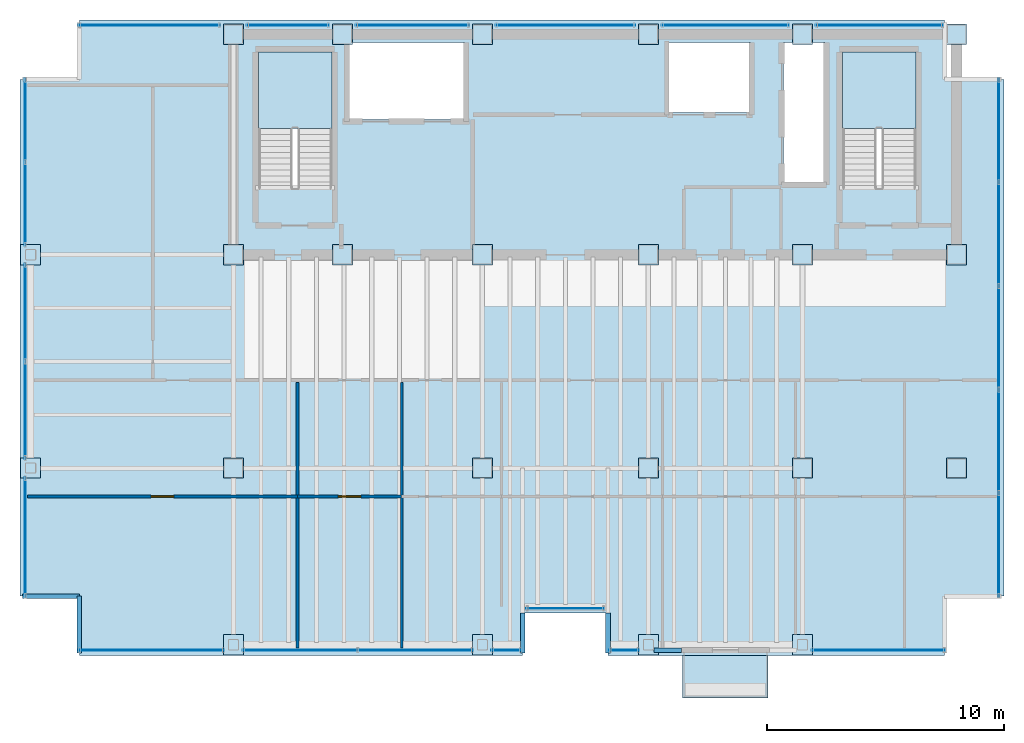
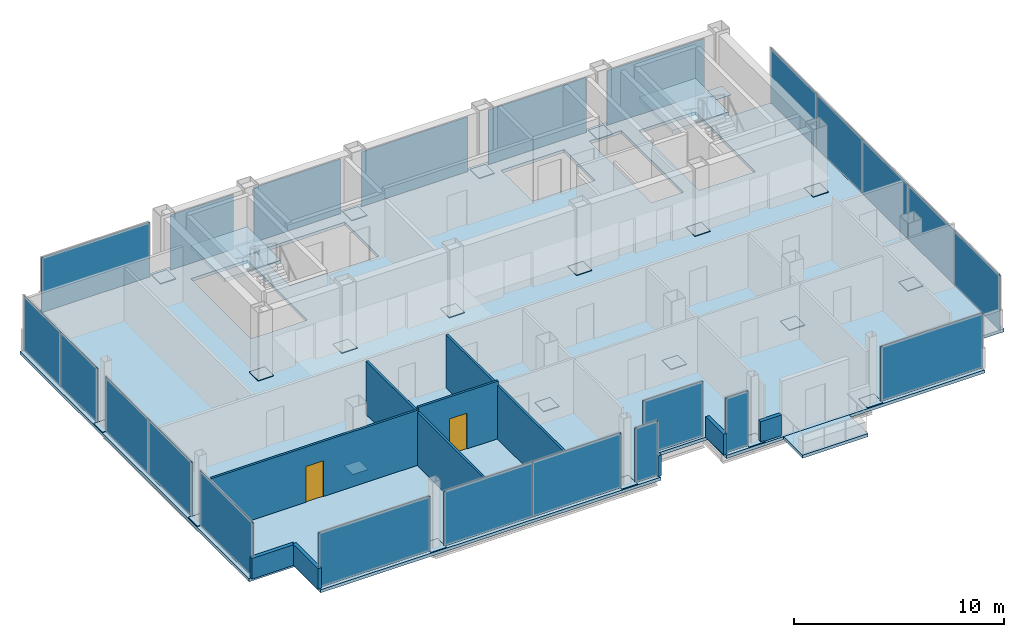
# One storey, part 13 of 17: 46 plates, 9 walls, 4 slabs, 2 doors, 7 openings, 18 elements without a shape of their own.
"""IFC4 building model written with IfcOpenShell, lengths in metres."""

from ifc_helpers import new_model, si_unit, direction, frame, frame_2d, origin, origin_2d, place, context, subcontext, project, spatial, polyline, rectangle, outline, extrude, material, layer, layer_set, type_object, element, fill, aggregate, save


model = new_model("IFC4")

# Units and contexts
model_context = context("Model", 3, precision=1e-05, world=origin(), true_north=direction((0.0, 1.0)))
body_context = subcontext(model_context, "Body", "Model", "MODEL_VIEW")
ifc_project = project(units=[si_unit("LENGTHUNIT", "METRE"), si_unit("AREAUNIT", "SQUARE_METRE"), si_unit("VOLUMEUNIT", "CUBIC_METRE"), si_unit("PLANEANGLEUNIT", "RADIAN"), si_unit("MASSUNIT", "GRAM", prefix="KILO")], contexts=[model_context])

# Site, building, storey
site_placement = place(None, origin())
site = spatial("IfcSite", under=ifc_project, at=site_placement, CompositionType="ELEMENT")
building_placement = place(site_placement, origin())
building = spatial("IfcBuilding", under=site, at=building_placement, Name="Noeulbin Bourse Tower", CompositionType="ELEMENT")
storey_placement = place(building_placement, frame((0.0, 0.0, 242.300048828125)))
storey = spatial("IfcBuildingStorey", under=building, at=storey_placement, Name="L60", CompositionType="ELEMENT", Elevation=242.300048828125)

# Curtain wall, plate
ifc_material_1 = material(Name="High-Selectivity Low-Iron Glazing", Category="glass")
curtain_wall_type = type_object("IfcCurtainWallType", Name="CW-SYS-4", PredefinedType="NOTDEFINED", material=ifc_material_1)
curtain_wall_1_placement = place(storey_placement, origin())
curtain_wall_1 = element("IfcCurtainWall", 1, at=curtain_wall_1_placement, inside=storey, type_object=curtain_wall_type, Name="Unitised Curtain Wall CW-L60-SREC", PredefinedType="NOTDEFINED")
ifc_layer_1 = layer(ifc_material_1, 0.035888671875)
ifc_layer_set_1 = layer_set([ifc_layer_1], Name="High-Selectivity Low-Iron Glazing")
plate_type_1 = type_object("IfcPlateType", Name="CW-SYS-4-PNL", PredefinedType="CURTAIN_PANEL", material=ifc_layer_set_1)
plate_1_placement = place(storey_placement, frame((27.5, 14.080078125, 0.0), z_axis=(0.0, 0.0, 1.0), x_axis=(1.0, 0.0, 0.0)))
plate_1 = element("IfcPlate", 2, at=plate_1_placement, type_object=plate_type_1, Name="Glazed Curtain Panel CW-L60-SREC-P00", PredefinedType="CURTAIN_PANEL", context=body_context, shape_type="SweptSolid", body=[
    extrude(rectangle(XDim=3.300048828125, YDim=0.035888671875, at=origin_2d()), origin(), (0.0, 0.0, 1.0), 3.179931640625),
])
aggregate(curtain_wall_1, [plate_1])

curtain_wall_2_placement = place(storey_placement, origin())
curtain_wall_2 = element("IfcCurtainWall", 3, at=curtain_wall_2_placement, inside=storey, type_object=curtain_wall_type, Name="Unitised Curtain Wall CW-L60-S1-S1", PredefinedType="NOTDEFINED")
plate_2_placement = place(storey_placement, frame((10.047607421875, 12.320068359375, 0.0), z_axis=(0.0, 0.0, 1.0), x_axis=(1.0, 0.0, 0.0)))
plate_2 = element("IfcPlate", 4, at=plate_2_placement, type_object=plate_type_1, Name="Glazed Curtain Panel CW-L60-S1-S1-P00", PredefinedType="CURTAIN_PANEL", context=body_context, shape_type="SweptSolid", body=[
    extrude(rectangle(XDim=6.135009765625, YDim=0.035888671875, at=origin_2d()), origin(), (0.0, 0.0, 1.0), 3.179931640625),
])
aggregate(curtain_wall_2, [plate_2])

# Curtain wall, plates
curtain_wall_3_placement = place(storey_placement, origin())
curtain_wall_3 = element("IfcCurtainWall", 5, at=curtain_wall_3_placement, inside=storey, type_object=curtain_wall_type, Name="Unitised Curtain Wall CW-L60-S1-S2", PredefinedType="NOTDEFINED")
plate_3_placement = place(storey_placement, frame((16.3173828125, 12.320068359375, 0.0), z_axis=(0.0, 0.0, 1.0), x_axis=(1.0, 0.0, 0.0)))
plate_3 = element("IfcPlate", 6, at=plate_3_placement, type_object=plate_type_1, Name="Glazed Curtain Panel CW-L60-S1-S2-P00", PredefinedType="CURTAIN_PANEL", context=body_context, shape_type="SweptSolid", body=[
    extrude(rectangle(XDim=4.864990234375, YDim=0.035888671875, at=origin_2d()), origin(), (0.0, 0.0, 1.0), 3.179931640625),
])
plate_4_placement = place(storey_placement, frame((21.1826171875, 12.320068359375, 0.0), z_axis=(0.0, 0.0, 1.0), x_axis=(1.0, 0.0, 0.0)))
plate_4 = element("IfcPlate", 7, at=plate_4_placement, type_object=plate_type_1, Name="Glazed Curtain Panel CW-L60-S1-S2-P01", PredefinedType="CURTAIN_PANEL", context=body_context, shape_type="SweptSolid", body=[
    extrude(rectangle(XDim=4.864990234375, YDim=0.035888671875, at=origin_2d()), origin(), (0.0, 0.0, 1.0), 3.179931640625),
])
aggregate(curtain_wall_3, [plate_3, plate_4])

# Curtain wall, plate
curtain_wall_4_placement = place(storey_placement, origin())
curtain_wall_4 = element("IfcCurtainWall", 8, at=curtain_wall_4_placement, inside=storey, type_object=curtain_wall_type, Name="Unitised Curtain Wall CW-L60-S1-S3", PredefinedType="NOTDEFINED")
plate_5_placement = place(storey_placement, frame((25.017578125, 12.320068359375, 0.0), z_axis=(0.0, 0.0, 1.0), x_axis=(1.0, 0.0, 0.0)))
plate_5 = element("IfcPlate", 9, at=plate_5_placement, type_object=plate_type_1, Name="Glazed Curtain Panel CW-L60-S1-S3-P00", PredefinedType="CURTAIN_PANEL", context=body_context, shape_type="SweptSolid", body=[
    extrude(rectangle(XDim=1.264892578125, YDim=0.035888671875, at=origin_2d()), origin(), (0.0, 0.0, 1.0), 3.179931640625),
])
aggregate(curtain_wall_4, [plate_5])

curtain_wall_5_placement = place(storey_placement, origin())
curtain_wall_5 = element("IfcCurtainWall", 10, at=curtain_wall_5_placement, inside=storey, type_object=curtain_wall_type, Name="Unitised Curtain Wall CW-L60-S2", PredefinedType="NOTDEFINED")
plate_6_placement = place(storey_placement, frame((29.982421875, 12.320068359375, 0.0), z_axis=(0.0, 0.0, 1.0), x_axis=(1.0, 0.0, 0.0)))
plate_6 = element("IfcPlate", 11, at=plate_6_placement, type_object=plate_type_1, Name="Glazed Curtain Panel CW-L60-S2-P00", PredefinedType="CURTAIN_PANEL", context=body_context, shape_type="SweptSolid", body=[
    extrude(rectangle(XDim=1.264892578125, YDim=0.035888671875, at=origin_2d()), origin(), (0.0, 0.0, 1.0), 3.179931640625),
])
aggregate(curtain_wall_5, [plate_6])

curtain_wall_6_placement = place(storey_placement, origin())
curtain_wall_6 = element("IfcCurtainWall", 12, at=curtain_wall_6_placement, inside=storey, type_object=curtain_wall_type, Name="Unitised Curtain Wall CW-L60-S3", PredefinedType="NOTDEFINED")
plate_7_placement = place(storey_placement, frame((40.702392578125, 12.320068359375, 0.0), z_axis=(0.0, 0.0, 1.0), x_axis=(1.0, 0.0, 0.0)))
plate_7 = element("IfcPlate", 13, at=plate_7_placement, type_object=plate_type_1, Name="Glazed Curtain Panel CW-L60-S3-P00", PredefinedType="CURTAIN_PANEL", context=body_context, shape_type="SweptSolid", body=[
    extrude(rectangle(XDim=5.635009765625, YDim=0.035888671875, at=origin_2d()), origin(), (0.0, 0.0, 1.0), 3.179931640625),
])
aggregate(curtain_wall_6, [plate_7])

curtain_wall_7_placement = place(storey_placement, origin())
curtain_wall_7 = element("IfcCurtainWall", 14, at=curtain_wall_7_placement, inside=storey, type_object=curtain_wall_type, Name="Unitised Curtain Wall CW-L60-N-S1", PredefinedType="NOTDEFINED")
plate_8_placement = place(storey_placement, frame((9.9599609375, 38.679931640625, 0.0), z_axis=(0.0, 0.0, 1.0), x_axis=(1.0, 0.0, 0.0)))
plate_8 = element("IfcPlate", 15, at=plate_8_placement, type_object=plate_type_1, Name="Glazed Curtain Panel CW-L60-N-S1-P00", PredefinedType="CURTAIN_PANEL", context=body_context, shape_type="SweptSolid", body=[
    extrude(rectangle(XDim=5.9599609375, YDim=0.035888671875, at=origin_2d()), origin(), (0.0, 0.0, 1.0), 3.179931640625),
])
aggregate(curtain_wall_7, [plate_8])

curtain_wall_8_placement = place(storey_placement, origin())
curtain_wall_8 = element("IfcCurtainWall", 16, at=curtain_wall_8_placement, inside=storey, type_object=curtain_wall_type, Name="Unitised Curtain Wall CW-L60-N-S2", PredefinedType="NOTDEFINED")
plate_9_placement = place(storey_placement, frame((15.800048828125, 38.679931640625, 0.0), z_axis=(0.0, 0.0, 1.0), x_axis=(1.0, 0.0, 0.0)))
plate_9 = element("IfcPlate", 17, at=plate_9_placement, type_object=plate_type_1, Name="Glazed Curtain Panel CW-L60-N-S2-P00", PredefinedType="CURTAIN_PANEL", context=body_context, shape_type="SweptSolid", body=[
    extrude(rectangle(XDim=3.47998046875, YDim=0.035888671875, at=origin_2d()), origin(), (0.0, 0.0, 1.0), 3.179931640625),
])
aggregate(curtain_wall_8, [plate_9])

curtain_wall_9_placement = place(storey_placement, origin())
curtain_wall_9 = element("IfcCurtainWall", 18, at=curtain_wall_9_placement, inside=storey, type_object=curtain_wall_type, Name="Unitised Curtain Wall CW-L60-N-S3", PredefinedType="NOTDEFINED")
plate_10_placement = place(storey_placement, frame((21.050048828125, 38.679931640625, 0.0), z_axis=(0.0, 0.0, 1.0), x_axis=(1.0, 0.0, 0.0)))
plate_10 = element("IfcPlate", 19, at=plate_10_placement, type_object=plate_type_1, Name="Glazed Curtain Panel CW-L60-N-S3-P00", PredefinedType="CURTAIN_PANEL", context=body_context, shape_type="SweptSolid", body=[
    extrude(rectangle(XDim=4.780029296875, YDim=0.035888671875, at=origin_2d()), origin(), (0.0, 0.0, 1.0), 3.179931640625),
])
aggregate(curtain_wall_9, [plate_10])

curtain_wall_10_placement = place(storey_placement, origin())
curtain_wall_10 = element("IfcCurtainWall", 20, at=curtain_wall_10_placement, inside=storey, type_object=curtain_wall_type, Name="Unitised Curtain Wall CW-L60-N-S4", PredefinedType="NOTDEFINED")
plate_11_placement = place(storey_placement, frame((27.5, 38.679931640625, 0.0), z_axis=(0.0, 0.0, 1.0), x_axis=(1.0, 0.0, 0.0)))
plate_11 = element("IfcPlate", 21, at=plate_11_placement, type_object=plate_type_1, Name="Glazed Curtain Panel CW-L60-N-S4-P00", PredefinedType="CURTAIN_PANEL", context=body_context, shape_type="SweptSolid", body=[
    extrude(rectangle(XDim=5.8798828125, YDim=0.035888671875, at=origin_2d()), origin(), (0.0, 0.0, 1.0), 3.179931640625),
])
aggregate(curtain_wall_10, [plate_11])

curtain_wall_11_placement = place(storey_placement, origin())
curtain_wall_11 = element("IfcCurtainWall", 22, at=curtain_wall_11_placement, inside=storey, type_object=curtain_wall_type, Name="Unitised Curtain Wall CW-L60-N-S5", PredefinedType="NOTDEFINED")
plate_12_placement = place(storey_placement, frame((34.25, 38.679931640625, 0.0), z_axis=(0.0, 0.0, 1.0), x_axis=(1.0, 0.0, 0.0)))
plate_12 = element("IfcPlate", 23, at=plate_12_placement, type_object=plate_type_1, Name="Glazed Curtain Panel CW-L60-N-S5-P00", PredefinedType="CURTAIN_PANEL", context=body_context, shape_type="SweptSolid", body=[
    extrude(rectangle(XDim=5.3798828125, YDim=0.035888671875, at=origin_2d()), origin(), (0.0, 0.0, 1.0), 3.179931640625),
])
aggregate(curtain_wall_11, [plate_12])

curtain_wall_12_placement = place(storey_placement, origin())
curtain_wall_12 = element("IfcCurtainWall", 24, at=curtain_wall_12_placement, inside=storey, type_object=curtain_wall_type, Name="Unitised Curtain Wall CW-L60-N-S6", PredefinedType="NOTDEFINED")
plate_13_placement = place(storey_placement, frame((40.75, 38.679931640625, 0.0), z_axis=(0.0, 0.0, 1.0), x_axis=(1.0, 0.0, 0.0)))
plate_13 = element("IfcPlate", 25, at=plate_13_placement, type_object=plate_type_1, Name="Glazed Curtain Panel CW-L60-N-S6-P00", PredefinedType="CURTAIN_PANEL", context=body_context, shape_type="SweptSolid", body=[
    extrude(rectangle(XDim=5.3798828125, YDim=0.035888671875, at=origin_2d()), origin(), (0.0, 0.0, 1.0), 3.179931640625),
])
aggregate(curtain_wall_12, [plate_13])

curtain_wall_13_placement = place(storey_placement, origin())
curtain_wall_13 = element("IfcCurtainWall", 26, at=curtain_wall_13_placement, inside=storey, type_object=curtain_wall_type, Name="Unitised Curtain Wall CW-L60-W-S1", PredefinedType="NOTDEFINED")
plate_14_placement = place(storey_placement, frame((4.719970703125, 17.097412109375, 0.0), z_axis=(0.0, 0.0, 1.0), x_axis=(0.0, 1.0, 0.0)))
plate_14 = element("IfcPlate", 27, at=plate_14_placement, type_object=plate_type_1, Name="Glazed Curtain Panel CW-L60-W-S1-P00", PredefinedType="CURTAIN_PANEL", context=body_context, shape_type="SweptSolid", body=[
    extrude(rectangle(XDim=5.034912109375, YDim=0.035888671875, at=origin_2d()), origin(), (0.0, 0.0, 1.0), 3.179931640625),
])
aggregate(curtain_wall_13, [plate_14])

# Curtain wall, plates
curtain_wall_14_placement = place(storey_placement, origin())
curtain_wall_14 = element("IfcCurtainWall", 28, at=curtain_wall_14_placement, inside=storey, type_object=curtain_wall_type, Name="Unitised Curtain Wall CW-L60-W-S2", PredefinedType="NOTDEFINED")
plate_15_placement = place(storey_placement, frame((4.719970703125, 22.4423828125, 0.0), z_axis=(0.0, 0.0, 1.0), x_axis=(0.0, 1.0, 0.0)))
plate_15 = element("IfcPlate", 29, at=plate_15_placement, type_object=plate_type_1, Name="Glazed Curtain Panel CW-L60-W-S2-P00", PredefinedType="CURTAIN_PANEL", context=body_context, shape_type="SweptSolid", body=[
    extrude(rectangle(XDim=4.114990234375, YDim=0.035888671875, at=origin_2d()), origin(), (0.0, 0.0, 1.0), 3.179931640625),
])
plate_16_placement = place(storey_placement, frame((4.719970703125, 26.5576171875, 0.0), z_axis=(0.0, 0.0, 1.0), x_axis=(0.0, 1.0, 0.0)))
plate_16 = element("IfcPlate", 30, at=plate_16_placement, type_object=plate_type_1, Name="Glazed Curtain Panel CW-L60-W-S2-P01", PredefinedType="CURTAIN_PANEL", context=body_context, shape_type="SweptSolid", body=[
    extrude(rectangle(XDim=4.114990234375, YDim=0.035888671875, at=origin_2d()), origin(), (0.0, 0.0, 1.0), 3.179931640625),
])
aggregate(curtain_wall_14, [plate_15, plate_16])

curtain_wall_15_placement = place(storey_placement, origin())
curtain_wall_15 = element("IfcCurtainWall", 31, at=curtain_wall_15_placement, inside=storey, type_object=curtain_wall_type, Name="Unitised Curtain Wall CW-L60-W-S3", PredefinedType="NOTDEFINED")
plate_17_placement = place(storey_placement, frame((4.719970703125, 31.143798828125, 0.0), z_axis=(0.0, 0.0, 1.0), x_axis=(0.0, 1.0, 0.0)))
plate_17 = element("IfcPlate", 32, at=plate_17_placement, type_object=plate_type_1, Name="Glazed Curtain Panel CW-L60-W-S3-P00", PredefinedType="CURTAIN_PANEL", context=body_context, shape_type="SweptSolid", body=[
    extrude(rectangle(XDim=3.517578125, YDim=0.035888671875, at=origin_2d()), origin(), (0.0, 0.0, 1.0), 3.179931640625),
])
plate_18_placement = place(storey_placement, frame((4.719970703125, 34.661376953125, 0.0), z_axis=(0.0, 0.0, 1.0), x_axis=(0.0, 1.0, 0.0)))
plate_18 = element("IfcPlate", 33, at=plate_18_placement, type_object=plate_type_1, Name="Glazed Curtain Panel CW-L60-W-S3-P01", PredefinedType="CURTAIN_PANEL", context=body_context, shape_type="SweptSolid", body=[
    extrude(rectangle(XDim=3.517578125, YDim=0.035888671875, at=origin_2d()), origin(), (0.0, 0.0, 1.0), 3.179931640625),
])
aggregate(curtain_wall_15, [plate_17, plate_18])

curtain_wall_16_placement = place(storey_placement, origin())
curtain_wall_16 = element("IfcCurtainWall", 34, at=curtain_wall_16_placement, inside=storey, type_object=curtain_wall_type, Name="Unitised Curtain Wall CW-L60-E", PredefinedType="NOTDEFINED")
plate_19_placement = place(storey_placement, frame((45.780029296875, 16.763916015625, 0.0), z_axis=(0.0, 0.0, 1.0), x_axis=(0.0, 1.0, 0.0)))
plate_19 = element("IfcPlate", 35, at=plate_19_placement, type_object=plate_type_1, Name="Glazed Curtain Panel CW-L60-E-P00", PredefinedType="CURTAIN_PANEL", context=body_context, shape_type="SweptSolid", body=[
    extrude(rectangle(XDim=4.367919921875, YDim=0.035888671875, at=origin_2d()), origin(), (0.0, 0.0, 1.0), 3.179931640625),
])
plate_20_placement = place(storey_placement, frame((45.780029296875, 21.132080078125, 0.0), z_axis=(0.0, 0.0, 1.0), x_axis=(0.0, 1.0, 0.0)))
plate_20 = element("IfcPlate", 36, at=plate_20_placement, type_object=plate_type_1, Name="Glazed Curtain Panel CW-L60-E-P01", PredefinedType="CURTAIN_PANEL", context=body_context, shape_type="SweptSolid", body=[
    extrude(rectangle(XDim=4.367919921875, YDim=0.035888671875, at=origin_2d()), origin(), (0.0, 0.0, 1.0), 3.179931640625),
])
plate_21_placement = place(storey_placement, frame((45.780029296875, 25.5, 0.0), z_axis=(0.0, 0.0, 1.0), x_axis=(0.0, 1.0, 0.0)))
plate_21 = element("IfcPlate", 37, at=plate_21_placement, type_object=plate_type_1, Name="Glazed Curtain Panel CW-L60-E-P02", PredefinedType="CURTAIN_PANEL", context=body_context, shape_type="SweptSolid", body=[
    extrude(rectangle(XDim=4.367919921875, YDim=0.035888671875, at=origin_2d()), origin(), (0.0, 0.0, 1.0), 3.179931640625),
])
plate_22_placement = place(storey_placement, frame((45.780029296875, 29.867919921875, 0.0), z_axis=(0.0, 0.0, 1.0), x_axis=(0.0, 1.0, 0.0)))
plate_22 = element("IfcPlate", 38, at=plate_22_placement, type_object=plate_type_1, Name="Glazed Curtain Panel CW-L60-E-P03", PredefinedType="CURTAIN_PANEL", context=body_context, shape_type="SweptSolid", body=[
    extrude(rectangle(XDim=4.367919921875, YDim=0.035888671875, at=origin_2d()), origin(), (0.0, 0.0, 1.0), 3.179931640625),
])
plate_23_placement = place(storey_placement, frame((45.780029296875, 34.236083984375, 0.0), z_axis=(0.0, 0.0, 1.0), x_axis=(0.0, 1.0, 0.0)))
plate_23 = element("IfcPlate", 39, at=plate_23_placement, type_object=plate_type_1, Name="Glazed Curtain Panel CW-L60-E-P04", PredefinedType="CURTAIN_PANEL", context=body_context, shape_type="SweptSolid", body=[
    extrude(rectangle(XDim=4.367919921875, YDim=0.035888671875, at=origin_2d()), origin(), (0.0, 0.0, 1.0), 3.179931640625),
])
aggregate(curtain_wall_16, [plate_19, plate_20, plate_21, plate_22, plate_23])

# Plates
ifc_material_2 = material(Name="Steel S355", Category="steel")
ifc_layer_2 = layer(ifc_material_2, 0.030029296875)
ifc_layer_set_2 = layer_set([ifc_layer_2], Name="Steel S355")
plate_type_2 = type_object("IfcPlateType", Name="PLT-BN1", PredefinedType="USERDEFINED", material=ifc_layer_set_2)
for number, where, z_axis, x_axis, name in (
    (40, (13.5, 29.0, 0.0048828125), (0.0, 0.0, 1.0), (1.0, 0.0, 0.0), "Mega-Column Splice Plate BN1-L60-01"),
    (41, (13.5, 38.300048828125, 0.0048828125), (0.0, 0.0, 1.0), (1.0, 0.0, 0.0), "Mega-Column Splice Plate BN1-L60-02"),
    (42, (18.10009765625, 29.0, 0.0048828125), (0.0, 0.0, 1.0), (1.0, 0.0, 0.0), "Mega-Column Splice Plate BN1-L60-03"),
    (43, (18.10009765625, 38.300048828125, 0.0048828125), (0.0, 0.0, 1.0), (1.0, 0.0, 0.0), "Mega-Column Splice Plate BN1-L60-04"),
    (44, (24.0, 29.0, 0.0048828125), (0.0, 0.0, 1.0), (1.0, 0.0, 0.0), "Mega-Column Splice Plate BN1-L60-05"),
    (45, (24.0, 38.300048828125, 0.0048828125), (0.0, 0.0, 1.0), (1.0, 0.0, 0.0), "Mega-Column Splice Plate BN1-L60-06"),
    (46, (31.0, 29.0, 0.0048828125), (0.0, 0.0, 1.0), (1.0, 0.0, 0.0), "Mega-Column Splice Plate BN1-L60-07"),
    (47, (31.0, 38.300048828125, 0.0048828125), (0.0, 0.0, 1.0), (1.0, 0.0, 0.0), "Mega-Column Splice Plate BN1-L60-08"),
    (48, (37.5, 29.0, 0.0048828125), (0.0, 0.0, 1.0), (1.0, 0.0, 0.0), "Mega-Column Splice Plate BN1-L60-09"),
    (49, (37.5, 38.300048828125, 0.0048828125), (0.0, 0.0, 1.0), (1.0, 0.0, 0.0), "Mega-Column Splice Plate BN1-L60-10"),
    (50, (44.0, 29.0, 0.0048828125), (0.0, 0.0, 1.0), (1.0, 0.0, 0.0), "Mega-Column Splice Plate BN1-L60-11"),
    (51, (44.0, 38.300048828125, 0.0048828125), (0.0, 0.0, 1.0), (1.0, 0.0, 0.0), "Mega-Column Splice Plate BN1-L60-12"),
    (52, (13.5, 20.0, 0.0048828125), (0.0, 0.0, 1.0), (1.0, 0.0, 0.0), "Mega-Column Splice Plate BN1-L60-13"),
    (53, (24.0, 20.0, 0.0048828125), (0.0, 0.0, 1.0), (1.0, 0.0, 0.0), "Mega-Column Splice Plate BN1-L60-14"),
    (54, (31.0, 20.0, 0.0048828125), (0.0, 0.0, 1.0), (1.0, 0.0, 0.0), "Mega-Column Splice Plate BN1-L60-15"),
    (55, (37.5, 20.0, 0.0048828125), (0.0, 0.0, 1.0), (1.0, 0.0, 0.0), "Mega-Column Splice Plate BN1-L60-16"),
    (56, (44.0, 20.0, 0.0048828125), (0.0, 0.0, 1.0), (1.0, 0.0, 0.0), "Mega-Column Splice Plate BN1-L60-17"),
    (57, (4.949951171875, 20.0, 0.0048828125), (0.0, 0.0, 1.0), (1.0, 0.0, 0.0), "Perimeter Column Splice Plate BN1-L60-01"),
    (58, (4.949951171875, 29.0, 0.0048828125), (0.0, 0.0, 1.0), (1.0, 0.0, 0.0), "Perimeter Column Splice Plate BN1-L60-02"),
    (59, (13.5, 12.550048828125, 0.0048828125), (0.0, 0.0, 1.0), (1.0, 0.0, 0.0), "Perimeter Column Splice Plate BN1-L60-03"),
    (60, (24.0, 12.550048828125, 0.0048828125), (0.0, 0.0, 1.0), (1.0, 0.0, 0.0), "Perimeter Column Splice Plate BN1-L60-04"),
    (61, (31.0, 12.550048828125, 0.0048828125), (0.0, 0.0, 1.0), (1.0, 0.0, 0.0), "Perimeter Column Splice Plate BN1-L60-05"),
    (62, (37.5, 12.550048828125, 0.0048828125), (0.0, 0.0, 1.0), (1.0, 0.0, 0.0), "Perimeter Column Splice Plate BN1-L60-06"),
):
    element("IfcPlate", number, at=place(storey_placement, frame(where, z_axis=z_axis, x_axis=x_axis)), inside=storey, type_object=plate_type_2, Name=name, ObjectType="SPLICE PLATE", PredefinedType="USERDEFINED", context=body_context, shape_type="SweptSolid", body=[
        extrude(rectangle(XDim=0.85009765625, YDim=0.85009765625, at=origin_2d()), origin(), (0.0, 0.0, 1.0), 0.030029296875),
    ])

# Stair, slab
ifc_material_3 = material(Name="Concrete C40/50", Category="concrete")
stair_type = type_object("IfcStairType", Name="STR-CORE-1560", PredefinedType="HALF_TURN_STAIR", material=ifc_material_3)
stair_1_placement = place(storey_placement, origin())
stair_1 = element("IfcStair", 63, at=stair_1_placement, inside=storey, type_object=stair_type, Name="L60 ST-1", PredefinedType="HALF_TURN_STAIR")
ifc_layer_3 = layer(ifc_material_3, 0.199951171875)
ifc_layer_set_3 = layer_set([ifc_layer_3], Name="Concrete C40/50")
slab_type_1 = type_object("IfcSlabType", Name="SLB-LND-200", PredefinedType="LANDING", material=ifc_layer_set_3)
slab_1_placement = place(storey_placement, frame((0.0, 0.0, 1.75)))
slab_1 = element("IfcSlab", 64, at=slab_1_placement, type_object=slab_type_1, Name="ST-1 landing 1", PredefinedType="LANDING", context=body_context, shape_type="SweptSolid", body=[
    extrude(outline(polyline([(17.64990234375, 34.330078125), (17.64990234375, 37.5439453125), (14.550048828125, 37.5439453125), (14.550048828125, 34.330078125), (17.64990234375, 34.330078125)])), origin(), (0.0, 0.0, 1.0), 0.199951171875),
])
aggregate(stair_1, [slab_1])

stair_2_placement = place(storey_placement, origin())
stair_2 = element("IfcStair", 65, at=stair_2_placement, inside=storey, type_object=stair_type, Name="L60 ST-2", PredefinedType="HALF_TURN_STAIR")
slab_2_placement = place(storey_placement, frame((0.0, 0.0, 1.75)))
slab_2 = element("IfcSlab", 66, at=slab_2_placement, type_object=slab_type_1, Name="ST-2 landing 1", PredefinedType="LANDING", context=body_context, shape_type="SweptSolid", body=[
    extrude(outline(polyline([(42.280029296875, 34.330078125), (42.280029296875, 37.5439453125), (39.179931640625, 37.5439453125), (39.179931640625, 34.330078125), (42.280029296875, 34.330078125)])), origin(), (0.0, 0.0, 1.0), 0.199951171875),
])
aggregate(stair_2, [slab_2])

# Slab, openings
ifc_layer_4 = layer(ifc_material_3, 0.179931640625)
ifc_layer_set_4 = layer_set([ifc_layer_4], Name="Concrete C40/50")
slab_type_2 = type_object("IfcSlabType", Name="SLB-TYP-180", PredefinedType="FLOOR", material=ifc_layer_set_4)
slab_3_placement = place(storey_placement, frame((0.0, 0.0, -0.179931640625)))
slab_3 = element("IfcSlab", 67, at=slab_3_placement, inside=storey, type_object=slab_type_2, Name="Tower Structural Floor Slab L60", PredefinedType="FLOOR", context=body_context, shape_type="SweptSolid", body=[
    extrude(outline(polyline([(7.0, 12.10009765625), (25.699951171875, 12.10009765625), (25.699951171875, 13.89990234375), (29.300048828125, 13.89990234375), (29.300048828125, 12.10009765625), (43.5, 12.10009765625), (43.5, 14.60009765625), (46.0, 14.60009765625), (46.0, 36.39990234375), (43.5, 36.39990234375), (43.5, 38.89990234375), (7.0, 38.89990234375), (7.0, 36.39990234375), (4.5, 36.39990234375), (4.5, 14.60009765625), (7.0, 14.60009765625), (7.0, 12.10009765625)]), holes=[polyline([(17.64990234375, 31.81005859375), (17.64990234375, 37.5439453125), (14.550048828125, 37.5439453125), (14.550048828125, 31.81005859375), (17.64990234375, 31.81005859375)]), polyline([(42.280029296875, 31.81005859375), (42.280029296875, 37.5439453125), (39.179931640625, 37.5439453125), (39.179931640625, 31.81005859375), (42.280029296875, 31.81005859375)]), polyline([(18.35009765625, 34.699951171875), (23.25, 34.699951171875), (23.25, 37.949951171875), (18.35009765625, 37.949951171875), (18.35009765625, 34.699951171875)]), polyline([(36.699951171875, 32.050048828125), (38.449951171875, 32.050048828125), (38.449951171875, 37.949951171875), (36.699951171875, 37.949951171875), (36.699951171875, 32.050048828125)]), polyline([(31.85009765625, 35.0), (35.300048828125, 35.0), (35.300048828125, 37.949951171875), (31.85009765625, 37.949951171875), (31.85009765625, 35.0)])]), origin(), (0.0, 0.0, 1.0), 0.179931640625),
])
opening_1_placement = place(slab_3_placement, frame((0.0, 0.0, -0.010009765625)))
element("IfcOpeningElement", 68, at=opening_1_placement, cuts=slab_3, Name="Slab Shaft Opening SLB-L60-TWR-1", PredefinedType="OPENING", context=body_context, shape_type="SweptSolid", body=[
    extrude(outline(polyline([(17.64990234375, 31.81005859375), (17.64990234375, 37.5439453125), (14.550048828125, 37.5439453125), (14.550048828125, 31.81005859375), (17.64990234375, 31.81005859375)])), origin(), (0.0, 0.0, 1.0), 0.199951171875),
])
opening_2_placement = place(slab_3_placement, frame((0.0, 0.0, -0.010009765625)))
element("IfcOpeningElement", 69, at=opening_2_placement, cuts=slab_3, Name="Slab Shaft Opening SLB-L60-TWR-2", PredefinedType="OPENING", context=body_context, shape_type="SweptSolid", body=[
    extrude(outline(polyline([(42.280029296875, 31.81005859375), (42.280029296875, 37.5439453125), (39.179931640625, 37.5439453125), (39.179931640625, 31.81005859375), (42.280029296875, 31.81005859375)])), origin(), (0.0, 0.0, 1.0), 0.199951171875),
])
opening_3_placement = place(slab_3_placement, frame((0.0, 0.0, -0.010009765625)))
element("IfcOpeningElement", 70, at=opening_3_placement, cuts=slab_3, Name="Slab Shaft Opening SLB-L60-TWR-3", PredefinedType="OPENING", context=body_context, shape_type="SweptSolid", body=[
    extrude(outline(polyline([(18.35009765625, 34.699951171875), (23.25, 34.699951171875), (23.25, 37.949951171875), (18.35009765625, 37.949951171875), (18.35009765625, 34.699951171875)])), origin(), (0.0, 0.0, 1.0), 0.199951171875),
])
opening_4_placement = place(slab_3_placement, frame((0.0, 0.0, -0.010009765625)))
element("IfcOpeningElement", 71, at=opening_4_placement, cuts=slab_3, Name="Slab Shaft Opening SLB-L60-TWR-4", PredefinedType="OPENING", context=body_context, shape_type="SweptSolid", body=[
    extrude(outline(polyline([(36.699951171875, 32.050048828125), (38.449951171875, 32.050048828125), (38.449951171875, 37.949951171875), (36.699951171875, 37.949951171875), (36.699951171875, 32.050048828125)])), origin(), (0.0, 0.0, 1.0), 0.199951171875),
])
opening_5_placement = place(slab_3_placement, frame((0.0, 0.0, -0.010009765625)))
element("IfcOpeningElement", 72, at=opening_5_placement, cuts=slab_3, Name="Slab Shaft Opening SLB-L60-TWR-5", PredefinedType="OPENING", context=body_context, shape_type="SweptSolid", body=[
    extrude(outline(polyline([(31.85009765625, 35.0), (35.300048828125, 35.0), (35.300048828125, 37.949951171875), (31.85009765625, 37.949951171875), (31.85009765625, 35.0)])), origin(), (0.0, 0.0, 1.0), 0.199951171875),
])

# Slab
slab_4_placement = place(storey_placement, frame((0.0, 0.0, -0.179931640625)))
element("IfcSlab", 73, at=slab_4_placement, inside=storey, type_object=slab_type_2, Name="Cantilevered Tree-Balcony Slab L60", PredefinedType="FLOOR", context=body_context, shape_type="SweptSolid", body=[
    extrude(outline(polyline([(32.449951171875, 10.300048828125), (36.050048828125, 10.300048828125), (36.050048828125, 12.10009765625), (32.449951171875, 12.10009765625), (32.449951171875, 10.300048828125)])), origin(), (0.0, 0.0, 1.0), 0.179931640625),
])

# Walls
ifc_layer_5 = layer(ifc_material_3, 0.199951171875)
ifc_layer_set_5 = layer_set([ifc_layer_5], Name="Concrete C40/50")
wall_type_1 = type_object("IfcWallType", Name="WAL-PAR-200", PredefinedType="PARAPET", material=ifc_layer_set_5)
wall_1_placement = place(storey_placement, frame((31.2451171875, 12.320068359375, 0.0), z_axis=(0.0, 0.0, 1.0), x_axis=(1.0, 0.0, 0.0)))
element("IfcWall", 74, at=wall_1_placement, inside=storey, type_object=wall_type_1, Name="Perimeter Pier Spandrel Parapet L60-S1", PredefinedType="PARAPET", context=body_context, shape_type="SweptSolid", body=[
    extrude(rectangle(XDim=1.15478515625, YDim=0.199951171875, at=frame_2d((0.577392578125, 0.0))), origin(), (0.0, 0.0, 1.0), 1.199951171875),
])
wall_2_placement = place(storey_placement, frame((4.60009765625, 14.60009765625, 0.0), z_axis=(0.0, 0.0, 1.0), x_axis=(1.0, 0.0, 0.0)))
element("IfcWall", 75, at=wall_2_placement, inside=storey, type_object=wall_type_1, Name="Corner Notch Parapet L60-SW1", PredefinedType="PARAPET", context=body_context, shape_type="SweptSolid", body=[
    extrude(rectangle(XDim=2.39990234375, YDim=0.199951171875, at=frame_2d((1.199951171875, 0.0))), origin(), (0.0, 0.0, 1.0), 1.199951171875),
])
wall_3_placement = place(storey_placement, frame((7.0, 14.60009765625, 0.0), z_axis=(0.0, 0.0, 1.0), x_axis=(0.0, -1.0, 0.0)))
element("IfcWall", 76, at=wall_3_placement, inside=storey, type_object=wall_type_1, Name="Corner Notch Parapet L60-SW2", PredefinedType="PARAPET", context=body_context, shape_type="SweptSolid", body=[
    extrude(rectangle(XDim=2.400146484375, YDim=0.199951171875, at=frame_2d((1.2001953125, 0.0))), origin(), (0.0, 0.0, 1.0), 1.199951171875),
])
for number, where, z_axis, x_axis, name in (
    (77, (25.699951171875, 12.199951171875, 0.0), (0.0, 0.0, 1.0), (0.0, 1.0, 0.0), "Sky-Garden Recess Parapet L60-W"),
    (78, (29.300048828125, 13.89990234375, 0.0), (0.0, 0.0, 1.0), (0.0, -1.0, 0.0), "Sky-Garden Recess Parapet L60-E"),
):
    element("IfcWall", number, at=place(storey_placement, frame(where, z_axis=z_axis, x_axis=x_axis)), inside=storey, type_object=wall_type_1, Name=name, PredefinedType="PARAPET", context=body_context, shape_type="SweptSolid", body=[
        extrude(rectangle(XDim=1.699951171875, YDim=0.199951171875, at=frame_2d((0.85009765625, 0.0))), origin(), (0.0, 0.0, 1.0), 1.199951171875),
    ])

# Wall, opening, door
ifc_material_4 = material(Name="Steel Stud Gypsum Partition", Category="steel")
ifc_layer_6 = layer(ifc_material_4, 0.1201171875)
ifc_layer_set_6 = layer_set([ifc_layer_6], Name="Steel Stud Gypsum Partition")
wall_type_2 = type_object("IfcWallType", Name="WAL-PRT-120", PredefinedType="PARTITIONING", material=ifc_layer_set_6)
wall_4_placement = place(storey_placement, frame((4.81005859375, 18.800048828125, 0.0), z_axis=(0.0, 0.0, 1.0), x_axis=(1.0, 0.0, 0.0)))
wall_4 = element("IfcWall", 79, at=wall_4_placement, inside=storey, type_object=wall_type_2, Name="Interior Partition Wall L60-06", PredefinedType="PARTITIONING", context=body_context, shape_type="SweptSolid", body=[
    extrude(rectangle(XDim=11.389892578125, YDim=0.1201171875, at=frame_2d((5.69482421875, 0.0))), origin(), (0.0, 0.0, 1.0), 3.199951171875),
])
opening_6_placement = place(wall_4_placement, frame((5.219970703125, 0.0, 0.0)))
opening_6 = element("IfcOpeningElement", 80, at=opening_6_placement, cuts=wall_4, Name="Opening ID-09", PredefinedType="OPENING", context=body_context, shape_type="SweptSolid", body=[
    extrude(rectangle(XDim=0.949951171875, YDim=2.080078125, at=frame_2d((0.47509765625, 1.0400390625))), frame((0.0, 0.070068359375, 0.0), z_axis=(0.0, -1.0, 0.0), x_axis=(1.0, 0.0, 0.0)), (0.0, 0.0, 1.0), 0.14013671875),
])
ifc_material_5 = material(Name="Acoustic Solid-Core Timber", Category="wood")
door_type = type_object("IfcDoorType", Name="DR-SINGLE-950", OperationType="SINGLE_SWING_LEFT", PredefinedType="DOOR", material=ifc_material_5)
door_1_placement = place(opening_6_placement, origin())
door_1 = element("IfcDoor", 81, at=door_1_placement, inside=storey, type_object=door_type, Name="Interior Door L60-08", OperationType="SINGLE_SWING_RIGHT", OverallHeight=2.080078125, OverallWidth=0.949951171875, PredefinedType="DOOR", context=body_context, shape_type="SweptSolid", body=[
    extrude(rectangle(XDim=0.949951171875, YDim=2.080078125, at=frame_2d((0.47509765625, 1.0400390625))), frame((0.0, 0.02490234375, 0.0), z_axis=(0.0, -1.0, 0.0), x_axis=(1.0, 0.0, 0.0)), (0.0, 0.0, 1.0), 0.050048828125),
])
fill(opening_6, door_1)

wall_5_placement = place(storey_placement, frame((16.199951171875, 18.800048828125, 0.0), z_axis=(0.0, 0.0, 1.0), x_axis=(1.0, 0.0, 0.0)))
wall_5 = element("IfcWall", 82, at=wall_5_placement, inside=storey, type_object=wall_type_2, Name="Interior Partition Wall L60-07", PredefinedType="PARTITIONING", context=body_context, shape_type="SweptSolid", body=[
    extrude(rectangle(XDim=4.400146484375, YDim=0.1201171875, at=frame_2d((2.2001953125, 0.0))), origin(), (0.0, 0.0, 1.0), 3.349853515625),
])
opening_7_placement = place(wall_5_placement, frame((1.72509765625, 0.0, 0.0)))
opening_7 = element("IfcOpeningElement", 83, at=opening_7_placement, cuts=wall_5, Name="Opening ID-09", PredefinedType="OPENING", context=body_context, shape_type="SweptSolid", body=[
    extrude(rectangle(XDim=0.949951171875, YDim=2.080078125, at=frame_2d((0.47509765625, 1.0400390625))), frame((0.0, 0.070068359375, 0.0), z_axis=(0.0, -1.0, 0.0), x_axis=(1.0, 0.0, 0.0)), (0.0, 0.0, 1.0), 0.14013671875),
])
door_2_placement = place(opening_7_placement, origin())
door_2 = element("IfcDoor", 84, at=door_2_placement, inside=storey, type_object=door_type, Name="Interior Door L60-10", OperationType="SINGLE_SWING_RIGHT", OverallHeight=2.080078125, OverallWidth=0.949951171875, PredefinedType="DOOR", context=body_context, shape_type="SweptSolid", body=[
    extrude(rectangle(XDim=0.949951171875, YDim=2.080078125, at=frame_2d((0.47509765625, 1.0400390625))), frame((0.0, 0.02490234375, 0.0), z_axis=(0.0, -1.0, 0.0), x_axis=(1.0, 0.0, 0.0)), (0.0, 0.0, 1.0), 0.050048828125),
])
fill(opening_7, door_2)

# Walls
for number, where, z_axis, x_axis, name in (
    (85, (16.199951171875, 12.409912109375, 0.0), (0.0, 0.0, 1.0), (0.0, 1.0, 0.0), "Interior Partition Wall L60-20"),
    (86, (20.60009765625, 12.409912109375, 0.0), (0.0, 0.0, 1.0), (0.0, 1.0, 0.0), "Interior Partition Wall L60-21"),
):
    element("IfcWall", number, at=place(storey_placement, frame(where, z_axis=z_axis, x_axis=x_axis)), inside=storey, type_object=wall_type_2, Name=name, PredefinedType="PARTITIONING", context=body_context, shape_type="SweptSolid", body=[
        extrude(rectangle(XDim=11.205078125, YDim=0.1201171875, at=frame_2d((5.6025390625, 0.0))), origin(), (0.0, 0.0, 1.0), 3.099853515625),
    ])

save(model, "model.ifc")
